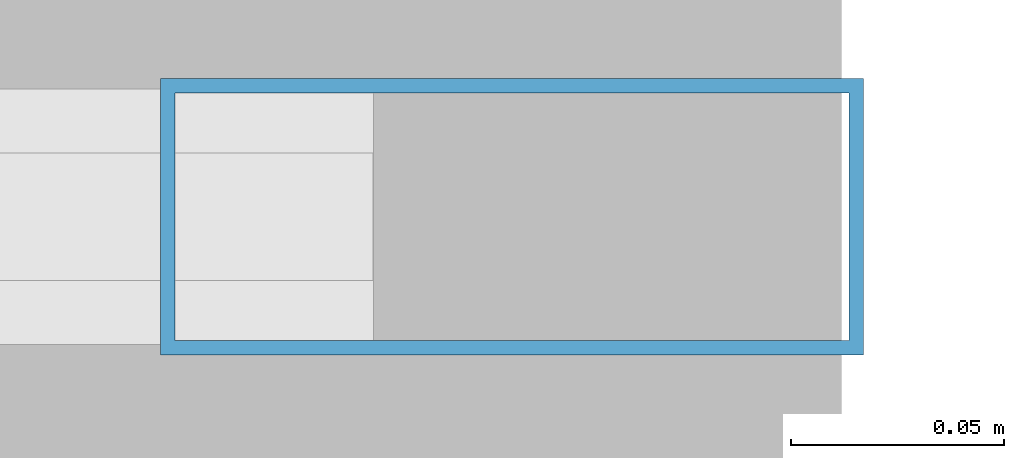
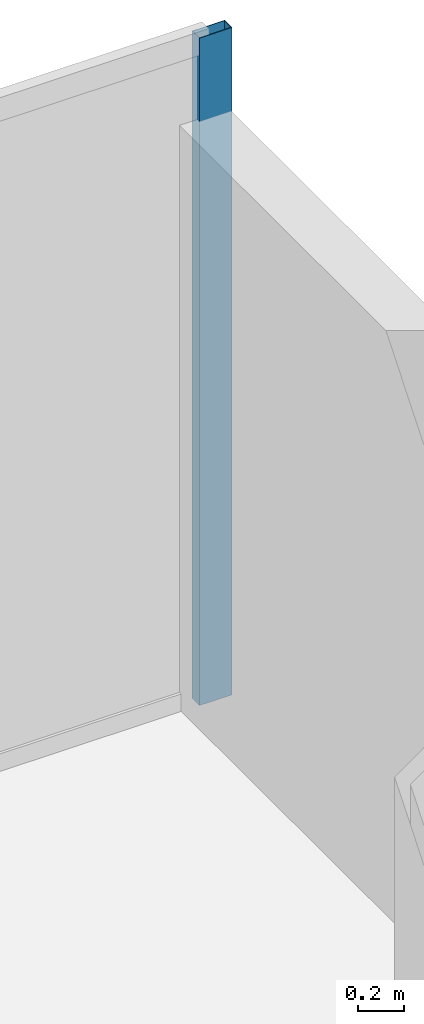
# One storey, part 23 of 31: 1 member, 1 element without a shape of its own.
"""IFC4 building model written with IfcOpenShell, lengths in metres."""

from ifc_helpers import new_model, si_unit, direction, frame, origin, origin_2d, place, context, subcontext, project, spatial, hollow_rectangle, extrude, source, transform, mapped, material, layer, layer_set, material_profile, profile_set, type_object, type_shapes, element, aggregate, save


model = new_model("IFC4")

# Units and contexts
model_context = context("Model", 3, precision=1e-05, world=origin(), true_north=direction((0.0, 1.0)))
body_context = subcontext(model_context, "Body", "Model", "MODEL_VIEW")
ifc_project = project(units=[si_unit("LENGTHUNIT", "METRE"), si_unit("AREAUNIT", "SQUARE_METRE"), si_unit("VOLUMEUNIT", "CUBIC_METRE"), si_unit("PLANEANGLEUNIT", "RADIAN"), si_unit("MASSUNIT", "GRAM", prefix="KILO")], contexts=[model_context])

# Site, building, storey
site_placement = place(None, origin())
site = spatial("IfcSite", under=ifc_project, at=site_placement, CompositionType="ELEMENT")
building_placement = place(site_placement, origin())
building = spatial("IfcBuilding", under=site, at=building_placement, Name="Varnel Quay Broadcast Tower", CompositionType="ELEMENT")
storey_placement = place(building_placement, frame((0.0, 0.0, 183.800048828125)))
storey = spatial("IfcBuildingStorey", under=building, at=storey_placement, Name="L45", CompositionType="ELEMENT", Elevation=183.800048828125)

# Curtain wall, member
ifc_material = material(Name="Anodised Bronze Aluminium 6063-T6", Category="aluminium")
ifc_layer = layer(ifc_material, 0.18994140625, Name="Anodised Bronze Aluminium 6063-T6")
ifc_layer_set = layer_set([ifc_layer], Name="Anodised Bronze Aluminium 6063-T6")
curtain_wall_type = type_object("IfcCurtainWallType", Name="CW_UpperTower", PredefinedType="NOTDEFINED", material=ifc_layer_set)
curtain_wall_placement = place(storey_placement, origin())
curtain_wall = element("IfcCurtainWall", 1, at=curtain_wall_placement, inside=storey, type_object=curtain_wall_type, Name="L45 NE Wing Curtain Wall", PredefinedType="NOTDEFINED")
ifc_material_profile = material_profile(ifc_material, hollow_rectangle(XDim=0.06494140625, YDim=0.1650390625, WallThickness=0.00341796875, at=origin_2d()), Name="ALU65X165X3.5")
ifc_profile_set = profile_set([ifc_material_profile], Name="Anodised Bronze Aluminium 6063-T6")
member_type = type_object("IfcMemberType", Name="Mull_CWS-03", PredefinedType="MULLION", material=ifc_profile_set)
shared_shape = source(origin(), body_context, "Body", "SweptSolid", [
    extrude(hollow_rectangle(XDim=0.06494140625, YDim=0.1650390625, WallThickness=0.00341796875, at=origin_2d()), origin(), (0.0, 0.0, 1.0), 3.550048828125),
])
type_shapes(member_type, [shared_shape])
member_placement = place(storey_placement, frame((57.447509765625, 46.64990234375, 0.0), z_axis=(0.0, 0.0, 1.0), x_axis=(0.0, 1.0, 0.0)))
member = element("IfcMember", 2, at=member_placement, type_object=member_type, Name="CWS-03 mullion 2", PredefinedType="MULLION", context=body_context, shape_type="MappedRepresentation", body=[
    mapped(shared_shape, transform((0.0, 0.0, 0.0), x_axis=(1.0, 0.0, 0.0), y_axis=(0.0, 1.0, 0.0), z_axis=(0.0, 0.0, 1.0), scale=1.0)),
])
aggregate(curtain_wall, [member])

save(model, "model.ifc")
